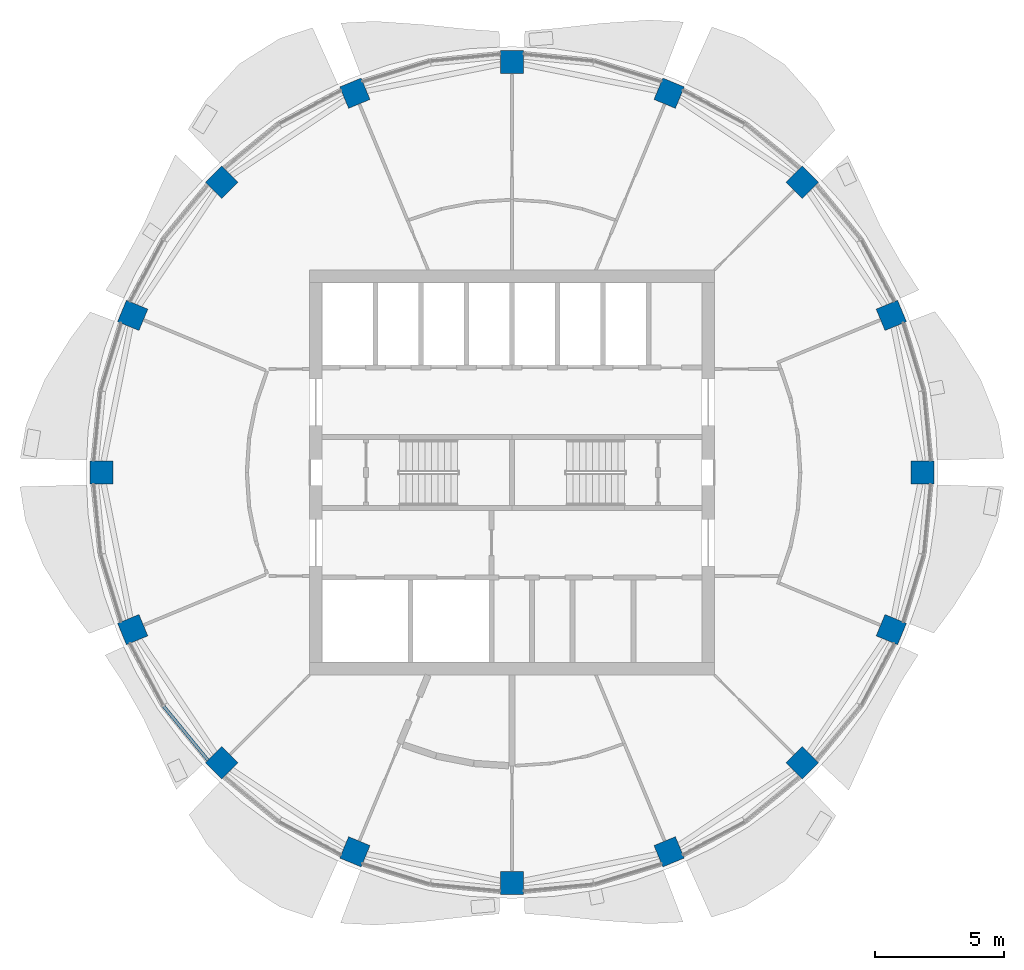
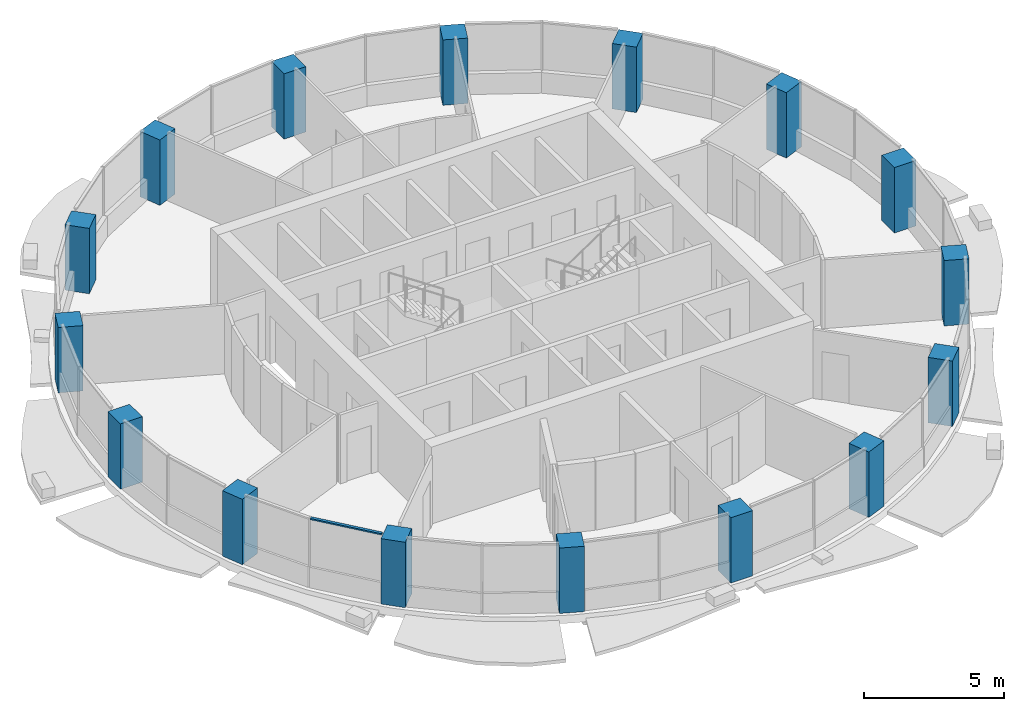
# One storey, part 1 of 15: 16 columns, 1 member, 1 element without a shape of its own.
"""IFC4 building model written with IfcOpenShell, lengths in metres."""

from ifc_helpers import new_model, si_unit, direction, frame, origin, origin_2d, place, context, subcontext, project, spatial, rectangle, extrude, material, material_profile, profile_set, type_object, element, aggregate, save


model = new_model("IFC4")

# Units and contexts
model_context = context("Model", 3, precision=1e-05, world=origin(), true_north=direction((0.0, 1.0)))
body_context = subcontext(model_context, "Body", "Model", "MODEL_VIEW")
ifc_project = project(units=[si_unit("LENGTHUNIT", "METRE"), si_unit("AREAUNIT", "SQUARE_METRE"), si_unit("VOLUMEUNIT", "CUBIC_METRE"), si_unit("PLANEANGLEUNIT", "RADIAN"), si_unit("MASSUNIT", "GRAM", prefix="KILO")], contexts=[model_context])

# Site, building, storey
site_placement = place(None, origin())
site = spatial("IfcSite", under=ifc_project, at=site_placement, CompositionType="ELEMENT")
building_placement = place(site_placement, origin())
building = spatial("IfcBuilding", under=site, at=building_placement, Name="Polderwave Tower", CompositionType="ELEMENT")
storey_placement = place(building_placement, frame((0.0, 0.0, 211.10009765625)))
storey = spatial("IfcBuildingStorey", under=building, at=storey_placement, Name="L57", CompositionType="ELEMENT", Elevation=211.10009765625)

# Columns
ifc_material_1 = material(Name="Concrete C60/75", Category="concrete")
ifc_material_profile_1 = material_profile(ifc_material_1, rectangle(XDim=0.89990234375, YDim=0.89990234375, at=origin_2d()), Name="RC 900x900")
ifc_profile_set_1 = profile_set([ifc_material_profile_1], Name="Concrete C60/75")
column_type = type_object("IfcColumnType", Name="RC COLUMN 900x900 C60/75", PredefinedType="COLUMN", material=ifc_profile_set_1)
for number, where, z_axis, x_axis, name in (
    (1, (15.949951171875, 0.0, 0.0), (0.0, 0.0, 1.0), (1.0, 0.0, 0.0), "Ring column 01"),
    (2, (14.73583984375, 6.103759765625, 0.0), (0.0, 0.0, 1.0), (0.923879532511, 0.382683432365, 0.0), "Ring column 02"),
    (3, (11.2783203125, 11.2783203125, 0.0), (0.0, 0.0, 1.0), (0.707106781187, 0.707106781187, 0.0), "Ring column 03"),
    (4, (6.103759765625, 14.73583984375, 0.0), (0.0, 0.0, 1.0), (0.382683432365, 0.923879532511, 0.0), "Ring column 04"),
    (5, (0.0, 15.949951171875, 0.0), (0.0, 0.0, 1.0), (0.0, 1.0, 0.0), "Ring column 05"),
    (6, (-6.103759765625, 14.73583984375, 0.0), (0.0, 0.0, 1.0), (-0.382683432365, 0.923879532511, 0.0), "Ring column 06"),
    (7, (-11.2783203125, 11.2783203125, 0.0), (0.0, 0.0, 1.0), (-0.707106781187, 0.707106781187, 0.0), "Ring column 07"),
    (8, (-14.73583984375, 6.103759765625, 0.0), (0.0, 0.0, 1.0), (-0.923879532511, 0.382683432365, 0.0), "Ring column 08"),
    (9, (-15.949951171875, 0.0, 0.0), (0.0, 0.0, 1.0), (-1.0, 0.0, 0.0), "Ring column 09"),
    (10, (-14.73583984375, -6.103759765625, 0.0), (0.0, 0.0, 1.0), (-0.923879532511, -0.382683432365, 0.0), "Ring column 10"),
    (11, (-11.2783203125, -11.2783203125, 0.0), (0.0, 0.0, 1.0), (-0.707106781187, -0.707106781187, 0.0), "Ring column 11"),
    (12, (-6.103759765625, -14.73583984375, 0.0), (0.0, 0.0, 1.0), (-0.382683432365, -0.923879532511, 0.0), "Ring column 12"),
    (13, (0.0, -15.949951171875, 0.0), (0.0, 0.0, 1.0), (0.0, -1.0, 0.0), "Ring column 13"),
    (14, (6.103759765625, -14.73583984375, 0.0), (0.0, 0.0, 1.0), (0.382683432365, -0.923879532511, 0.0), "Ring column 14"),
    (15, (11.2783203125, -11.2783203125, 0.0), (0.0, 0.0, 1.0), (0.707106781187, -0.707106781187, 0.0), "Ring column 15"),
    (16, (14.73583984375, -6.103759765625, 0.0), (0.0, 0.0, 1.0), (0.923879532511, -0.382683432365, 0.0), "Ring column 16"),
):
    element("IfcColumn", number, at=place(storey_placement, frame(where, z_axis=z_axis, x_axis=x_axis)), inside=storey, type_object=column_type, Name=name, PredefinedType="COLUMN", context=body_context, shape_type="SweptSolid", body=[
        extrude(rectangle(XDim=0.89990234375, YDim=0.89990234375, at=origin_2d()), origin(), (0.0, 0.0, 1.0), 2.849853515625),
    ])

# Curtain wall, member
ifc_material_2 = material(Name="Aluminium 6063-T6 and glass", Category="aluminium")
curtain_wall_type = type_object("IfcCurtainWallType", Name="Office ribbon glazing wall", PredefinedType="NOTDEFINED", material=ifc_material_2)
curtain_wall_placement = place(storey_placement, origin())
curtain_wall = element("IfcCurtainWall", 17, at=curtain_wall_placement, inside=storey, type_object=curtain_wall_type, Name="CW3 L57 09", PredefinedType="NOTDEFINED")
ifc_material_3 = material(Name="Aluminium 6063-T6", Category="aluminium")
ifc_material_profile_2 = material_profile(ifc_material_3, rectangle(XDim=0.1201171875, YDim=0.06005859375, at=origin_2d()), Name="AL 60x120")
ifc_profile_set_2 = profile_set([ifc_material_profile_2], Name="Aluminium 6063-T6")
member_type = type_object("IfcMemberType", Name="Office ribbon glazing transom 60x120", PredefinedType="USERDEFINED", material=ifc_profile_set_2)
member_placement = place(storey_placement, frame((-13.53564453125, -9.077392578125, 2.969970703125), z_axis=(0.634470928201, -0.772946726022, 0.0), x_axis=(0.772946726022, 0.634470928201, 0.0)))
member = element("IfcMember", 18, at=member_placement, type_object=member_type, Name="CW3 transom 2", ObjectType="TRANSOM", PredefinedType="USERDEFINED", context=body_context, shape_type="SweptSolid", body=[
    extrude(rectangle(XDim=0.1201171875, YDim=0.06005859375, at=origin_2d()), origin(), (0.0, 0.0, 1.0), 2.715087890625),
])
aggregate(curtain_wall, [member])

save(model, "model.ifc")
